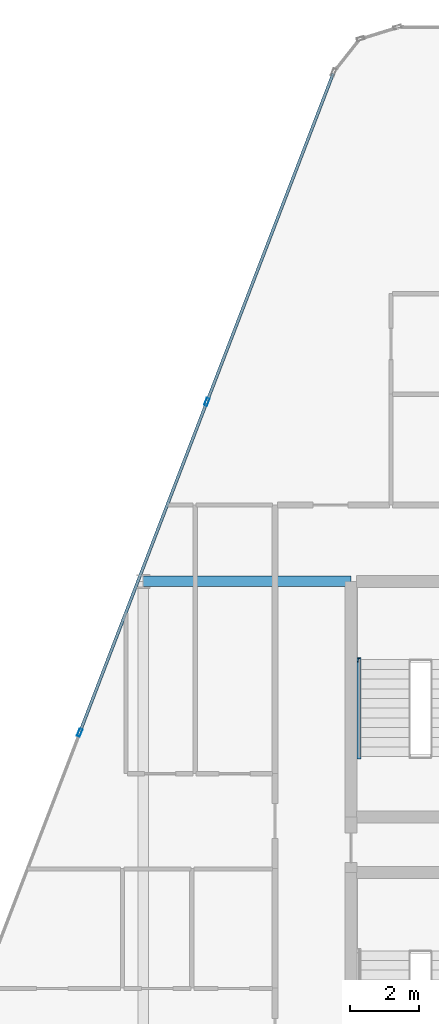
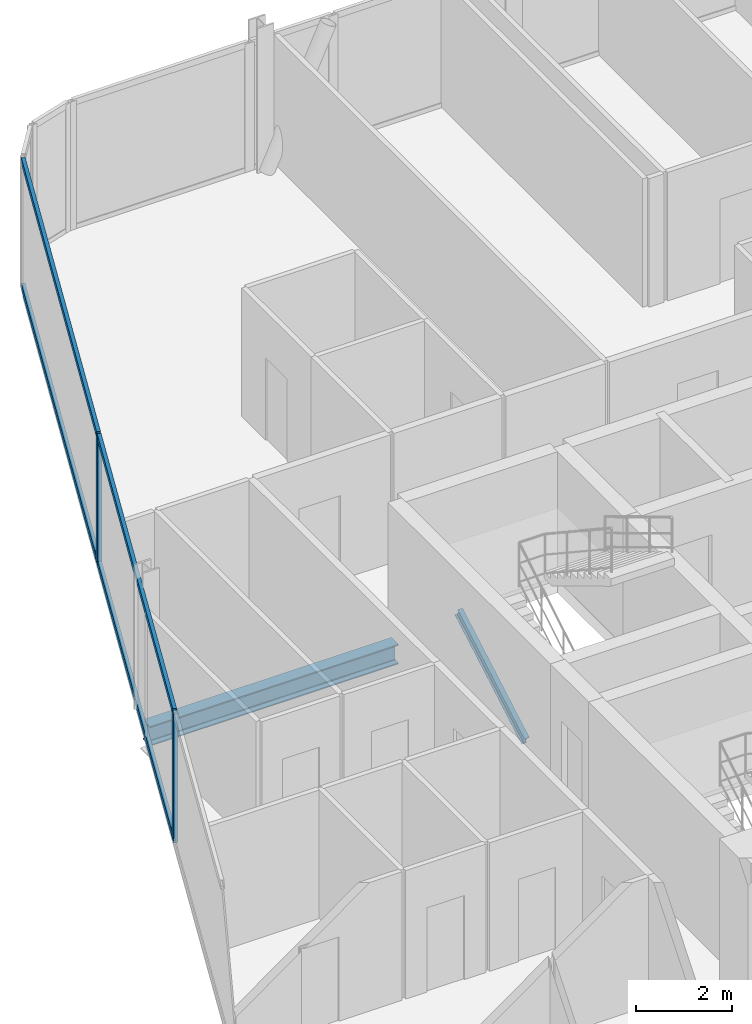
# One storey, part 12 of 33: 7 members, 1 beam, 1 element without a shape of its own.
"""IFC4 building model written with IfcOpenShell, lengths in metres."""

from ifc_helpers import new_model, si_unit, direction, frame, origin, origin_2d, place, context, subcontext, project, spatial, hollow_rectangle, i_section, extrude, material, layer, layer_set, material_profile, profile_set, type_object, element, aggregate, save


model = new_model("IFC4")

# Units and contexts
model_context = context("Model", 3, precision=1e-05, world=origin(), true_north=direction((0.0, 1.0)))
body_context = subcontext(model_context, "Body", "Model", "MODEL_VIEW")
ifc_project = project(units=[si_unit("LENGTHUNIT", "METRE"), si_unit("AREAUNIT", "SQUARE_METRE"), si_unit("VOLUMEUNIT", "CUBIC_METRE"), si_unit("PLANEANGLEUNIT", "RADIAN"), si_unit("MASSUNIT", "GRAM", prefix="KILO")], contexts=[model_context])

# Site, building, storey
site_placement = place(None, origin())
site = spatial("IfcSite", under=ifc_project, at=site_placement, CompositionType="ELEMENT")
building_placement = place(site_placement, origin())
building = spatial("IfcBuilding", under=site, at=building_placement, Name="Keshet Zoharim Tower", CompositionType="ELEMENT")
storey_placement = place(building_placement, frame((0.0, 0.0, 57.300048828125)))
storey = spatial("IfcBuildingStorey", under=building, at=storey_placement, Name="L13", CompositionType="ELEMENT", Elevation=57.300048828125)

# Beam
ifc_material_1 = material(Name="Steel S355", Category="steel")
ifc_material_profile_1 = material_profile(ifc_material_1, i_section(OverallWidth=0.300048828125, OverallDepth=0.5, WebThickness=0.014404296875, FlangeThickness=0.028076171875, FilletRadius=0.027099609375, at=origin_2d()), Name="HEB500")
ifc_profile_set_1 = profile_set([ifc_material_profile_1], Name="Steel S355")
beam_type = type_object("IfcBeamType", Name="BM-WEB-HB500", PredefinedType="BEAM", material=ifc_profile_set_1)
beam_placement = place(storey_placement, frame((9.0, 37.89990234375, -0.56494140625), z_axis=(1.0, 0.0, 0.0), x_axis=(0.0, 1.0, 0.0)))
element("IfcBeam", 1, at=beam_placement, inside=storey, type_object=beam_type, Name="L13 Primary Girder X-028", PredefinedType="BEAM", context=body_context, shape_type="SweptSolid", body=[
    extrude(i_section(OverallWidth=0.300048828125, OverallDepth=0.5, WebThickness=0.014404296875, FlangeThickness=0.028076171875, FilletRadius=0.027099609375, at=origin_2d()), origin(), (0.0, 0.0, 1.0), 6.0),
])

# Curtain wall, members
ifc_material_2 = material(Name="Aluminium 6063-T6", Category="aluminium")
ifc_layer = layer(ifc_material_2, 0.179931640625)
ifc_layer_set = layer_set([ifc_layer], Name="Aluminium 6063-T6")
curtain_wall_type = type_object("IfcCurtainWallType", Name="CW-SYS-01", PredefinedType="NOTDEFINED", material=ifc_layer_set)
curtain_wall_placement = place(storey_placement, origin())
curtain_wall = element("IfcCurtainWall", 2, at=curtain_wall_placement, inside=storey, type_object=curtain_wall_type, Name="L13 Unitised Curtain Wall 04", PredefinedType="NOTDEFINED")
ifc_material_profile_2 = material_profile(ifc_material_2, hollow_rectangle(XDim=0.090087890625, YDim=0.219970703125, WallThickness=0.0048828125, at=origin_2d()), Name="MUL-90x220")
ifc_profile_set_2 = profile_set([ifc_material_profile_2], Name="Aluminium 6063-T6")
member_type_1 = type_object("IfcMemberType", Name="CWM-M22", PredefinedType="MULLION", material=ifc_profile_set_2)
member_1_placement = place(storey_placement, frame((7.1669921875, 33.53466796875, 0.0), z_axis=(0.0, 0.0, 1.0), x_axis=(-0.933341404361, 0.358990003907, 0.0)))
member_1 = element("IfcMember", 3, at=member_1_placement, type_object=member_type_1, Name="CW-01 mullion 2", PredefinedType="MULLION", context=body_context, shape_type="SweptSolid", body=[
    extrude(hollow_rectangle(XDim=0.090087890625, YDim=0.219970703125, WallThickness=0.0048828125, at=origin_2d()), origin(), (0.0, 0.0, 1.0), 3.280029296875),
])
member_2_placement = place(storey_placement, frame((10.8369140625, 43.076416015625, 0.0), z_axis=(0.0, 0.0, 1.0), x_axis=(-0.933341404361, 0.358990003907, 0.0)))
member_2 = element("IfcMember", 4, at=member_2_placement, type_object=member_type_1, Name="CW-01 mullion 3", PredefinedType="MULLION", context=body_context, shape_type="SweptSolid", body=[
    extrude(hollow_rectangle(XDim=0.090087890625, YDim=0.219970703125, WallThickness=0.0048828125, at=origin_2d()), origin(), (0.0, 0.0, 1.0), 3.280029296875),
])
ifc_material_profile_3 = material_profile(ifc_material_2, hollow_rectangle(XDim=0.0849609375, YDim=0.159912109375, WallThickness=0.00439453125, at=origin_2d()), Name="TRN-85x160")
ifc_profile_set_3 = profile_set([ifc_material_profile_3], Name="Aluminium 6063-T6")
member_type_2 = type_object("IfcMemberType", Name="CWT-T16", PredefinedType="USERDEFINED", material=ifc_profile_set_3)
member_3_placement = place(storey_placement, frame((7.179443359375, 33.5673828125, 0.034912109375), z_axis=(0.359003248899, 0.933336309848, 0.0), x_axis=(-0.933336309848, 0.359003248899, 0.0)))
member_3 = element("IfcMember", 5, at=member_3_placement, type_object=member_type_2, Name="CW-01 transom 2.1", ObjectType="TRANSOM", PredefinedType="USERDEFINED", context=body_context, shape_type="SweptSolid", body=[
    extrude(hollow_rectangle(XDim=0.0849609375, YDim=0.159912109375, WallThickness=0.00439453125, at=origin_2d()), origin(), (0.0, 0.0, 1.0), 10.153076171875),
])
member_4_placement = place(storey_placement, frame((7.179443359375, 33.5673828125, 3.244873046875), z_axis=(0.359003248899, 0.933336309848, 0.0), x_axis=(-0.933336309848, 0.359003248899, 0.0)))
member_4 = element("IfcMember", 6, at=member_4_placement, type_object=member_type_2, Name="CW-01 transom 2.2", ObjectType="TRANSOM", PredefinedType="USERDEFINED", context=body_context, shape_type="SweptSolid", body=[
    extrude(hollow_rectangle(XDim=0.0849609375, YDim=0.159912109375, WallThickness=0.00439453125, at=origin_2d()), origin(), (0.0, 0.0, 1.0), 10.153076171875),
])
member_5_placement = place(storey_placement, frame((10.849609375, 43.10888671875, 0.034912109375), z_axis=(0.358985546764, 0.933343118694, 0.0), x_axis=(-0.933343118694, 0.358985546764, 0.0)))
member_5 = element("IfcMember", 7, at=member_5_placement, type_object=member_type_2, Name="CW-01 transom 3.1", ObjectType="TRANSOM", PredefinedType="USERDEFINED", context=body_context, shape_type="SweptSolid", body=[
    extrude(hollow_rectangle(XDim=0.0849609375, YDim=0.159912109375, WallThickness=0.00439453125, at=origin_2d()), origin(), (0.0, 0.0, 1.0), 10.118408203125),
])
member_6_placement = place(storey_placement, frame((10.849609375, 43.10888671875, 3.244873046875), z_axis=(0.358985546764, 0.933343118694, 0.0), x_axis=(-0.933343118694, 0.358985546764, 0.0)))
member_6 = element("IfcMember", 8, at=member_6_placement, type_object=member_type_2, Name="CW-01 transom 3.2", ObjectType="TRANSOM", PredefinedType="USERDEFINED", context=body_context, shape_type="SweptSolid", body=[
    extrude(hollow_rectangle(XDim=0.0849609375, YDim=0.159912109375, WallThickness=0.00439453125, at=origin_2d()), origin(), (0.0, 0.0, 1.0), 10.118408203125),
])
aggregate(curtain_wall, [member_1, member_2, member_3, member_4, member_5, member_6])

# Member
ifc_material_profile_4 = material_profile(ifc_material_1, i_section(OverallWidth=0.1201171875, OverallDepth=0.239990234375, WebThickness=0.006103515625, FlangeThickness=0.009765625, FilletRadius=0.014892578125, at=origin_2d()), Name="IPE240")
ifc_profile_set_4 = profile_set([ifc_material_profile_4], Name="Steel S355")
member_type_3 = type_object("IfcMemberType", Name="MB-STRG-IP240", PredefinedType="STRINGER", material=ifc_profile_set_4)
member_7_placement = place(storey_placement, frame((15.22998046875, 32.840087890625, 0.119873046875), z_axis=(0.0, 0.866876903101, 0.498522251129), x_axis=(-1.0, 0.0, 0.0)))
element("IfcMember", 9, at=member_7_placement, inside=storey, type_object=member_type_3, Name="L13 ST-02 Flight Steel Stringer", PredefinedType="STRINGER", context=body_context, shape_type="SweptSolid", body=[
    extrude(i_section(OverallWidth=0.1201171875, OverallDepth=0.239990234375, WebThickness=0.006103515625, FlangeThickness=0.009765625, FilletRadius=0.014892578125, at=origin_2d()), origin(), (0.0, 0.0, 1.0), 3.229736328125),
])

save(model, "model.ifc")
